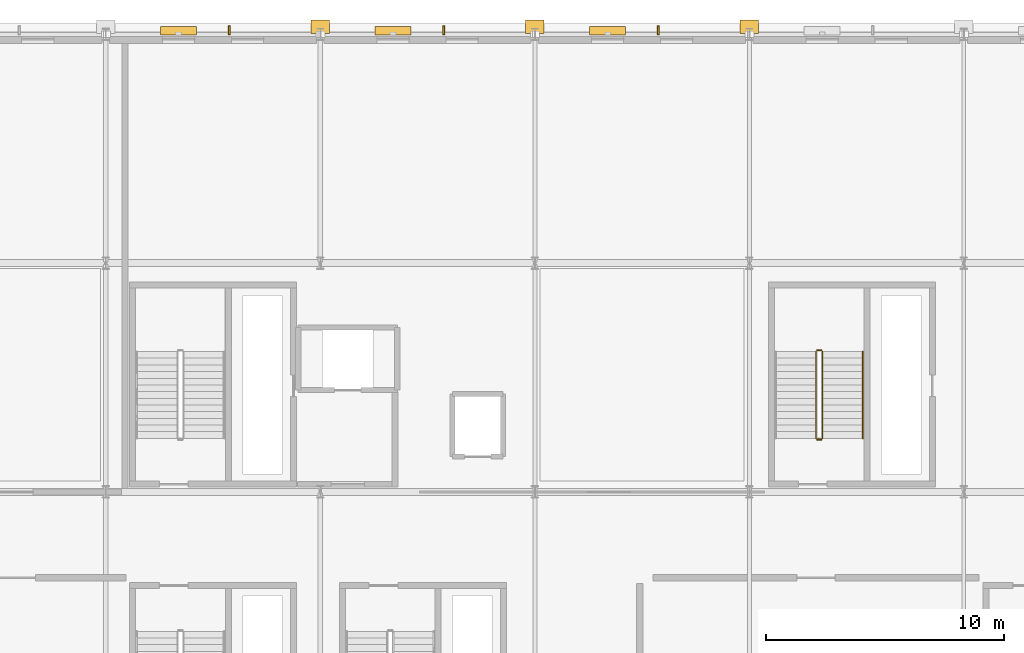
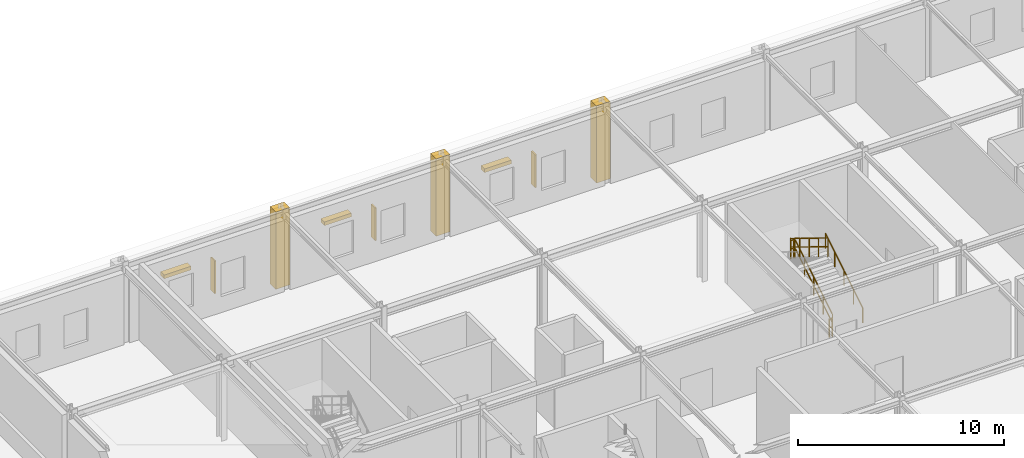
# One storey, part 121 of 125: 6 shading devices, 5 railings, 3 coverings.
"""IFC4 building model written with IfcOpenShell, lengths in metres."""

from ifc_helpers import new_model, si_unit, direction, frame, origin, origin_2d, place, context, subcontext, project, spatial, rectangle, extrude, material, layer, layer_set, type_object, element, save


model = new_model("IFC4")

# Units and contexts
model_context = context("Model", 3, precision=1e-05, world=origin(), true_north=direction((0.0, 1.0)))
body_context = subcontext(model_context, "Body", "Model", "MODEL_VIEW")
ifc_project = project(units=[si_unit("LENGTHUNIT", "METRE"), si_unit("AREAUNIT", "SQUARE_METRE"), si_unit("VOLUMEUNIT", "CUBIC_METRE"), si_unit("PLANEANGLEUNIT", "RADIAN"), si_unit("MASSUNIT", "GRAM", prefix="KILO")], contexts=[model_context])

# Site, building, storey
site_placement = place(None, origin())
site = spatial("IfcSite", under=ifc_project, at=site_placement, CompositionType="ELEMENT")
building_placement = place(site_placement, origin())
building = spatial("IfcBuilding", under=site, at=building_placement, Name="Myrtia Square Station", CompositionType="ELEMENT")
storey_placement = place(building_placement, frame((0.0, 0.0, 6.0)))
storey = spatial("IfcBuildingStorey", under=building, at=storey_placement, Name="L01", CompositionType="ELEMENT", Elevation=6.0)

# Coverings
ifc_material_1 = material(Name="Pentelic marble ashlar", Category="masonry")
ifc_layer = layer(ifc_material_1, 0.4599609375, Name="Pentelic marble ashlar")
ifc_layer_set = layer_set([ifc_layer], Name="Pentelic marble ashlar")
covering_type = type_object("IfcCoveringType", Name="COV-ARCH-ASHLAR", PredefinedType="CLADDING", material=ifc_layer_set)
for number, where, z_axis, x_axis, name in (
    (1, (135.0, 125.1201171875, -0.0400390625), (0.0, 0.0, 1.0), (1.0, 0.0, 0.0), "Classical Pentelic ashlar pilaster 072"),
    (2, (144.0, 125.1201171875, -0.0400390625), (0.0, 0.0, 1.0), (1.0, 0.0, 0.0), "Classical Pentelic ashlar pilaster 081"),
    (3, (153.0, 125.1201171875, -0.0400390625), (0.0, 0.0, 1.0), (1.0, 0.0, 0.0), "Classical Pentelic ashlar pilaster 090"),
):
    element("IfcCovering", number, at=place(storey_placement, frame(where, z_axis=z_axis, x_axis=x_axis)), inside=storey, type_object=covering_type, Name=name, PredefinedType="CLADDING", context=body_context, shape_type="SweptSolid", body=[
        extrude(rectangle(XDim=0.780029296875, YDim=0.56005859375, at=origin_2d()), origin(), (0.0, 0.0, 1.0), 4.590087890625),
    ])

# Railings
ifc_material_2 = material(Name="Dark bronze anodised aluminium", Category="aluminium")
railing_type_1 = type_object("IfcRailingType", Name="RL-HANDRAIL-900", PredefinedType="HANDRAIL", material=ifc_material_2)
railing_1_placement = place(storey_placement, frame((157.760009765625, 107.85009765625, 0.17138671875)))
element("IfcRailing", 4, at=railing_1_placement, inside=storey, type_object=railing_type_1, Name="L01 ST15 stair handrail 1", PredefinedType="HANDRAIL", context=body_context, shape_type="SweptSolid", body=[
    extrude(rectangle(XDim=0.048095703125, YDim=0.048095703125, at=origin_2d()), frame((0.0, 0.029541015625, 0.89404296875), z_axis=(0.0, 0.852850264322, 0.5221555579), x_axis=(-1.0, 0.0, 0.0)), (0.0, 0.0, 1.0), 0.997802734375),
    extrude(rectangle(XDim=0.048095703125, YDim=0.048095703125, at=origin_2d()), frame((0.0, 0.939453125, 1.451171875), z_axis=(0.0, 0.852850264322, 0.5221555579), x_axis=(-1.0, 0.0, 0.0)), (0.0, 0.0, 1.0), 0.997802734375),
    extrude(rectangle(XDim=0.048095703125, YDim=0.048095703125, at=origin_2d()), frame((0.0, 1.849609375, 2.00830078125), z_axis=(0.0, 0.852850264322, 0.5221555579), x_axis=(-1.0, 0.0, 0.0)), (0.0, 0.0, 1.0), 0.997802734375),
    extrude(rectangle(XDim=0.048095703125, YDim=0.048095703125, at=origin_2d()), frame((0.0, 2.759521484375, 2.5654296875), z_axis=(0.0, 0.852850264322, 0.5221555579), x_axis=(-1.0, 0.0, 0.0)), (0.0, 0.0, 1.0), 0.997802734375),
    extrude(rectangle(XDim=0.0439453125, YDim=0.0439453125, at=origin_2d()), origin(), (0.0, 0.0, 1.0), 0.89990234375),
    extrude(rectangle(XDim=0.0439453125, YDim=0.0439453125, at=origin_2d()), frame((0.0, 0.909912109375, 0.55712890625)), (0.0, 0.0, 1.0), 0.89990234375),
    extrude(rectangle(XDim=0.0439453125, YDim=0.0439453125, at=origin_2d()), frame((0.0, 1.81982421875, 1.1142578125)), (0.0, 0.0, 1.0), 0.89990234375),
    extrude(rectangle(XDim=0.0439453125, YDim=0.0439453125, at=origin_2d()), frame((0.0, 2.72998046875, 1.67138671875)), (0.0, 0.0, 1.0), 0.89990234375),
    extrude(rectangle(XDim=0.0439453125, YDim=0.0439453125, at=origin_2d()), frame((0.0, 3.639892578125, 2.228515625)), (0.0, 0.0, 1.0), 0.89990234375),
])
ifc_material_3 = material(Name="Wrought iron", Category="steel")
railing_type_2 = type_object("IfcRailingType", Name="RL-INT-GUARD-1100", PredefinedType="BALUSTRADE", material=ifc_material_3)
railing_2_placement = place(storey_placement, frame((156.06005859375, 107.85009765625, 0.17138671875)))
element("IfcRailing", 5, at=railing_2_placement, inside=storey, type_object=railing_type_2, Name="L01 ST15 stair guard 1", PredefinedType="BALUSTRADE", context=body_context, shape_type="SweptSolid", body=[
    extrude(rectangle(XDim=0.048095703125, YDim=0.048095703125, at=origin_2d()), frame((0.0, 0.029541015625, 1.1142578125), z_axis=(0.0, 0.852850264322, 0.5221555579), x_axis=(-1.0, 0.0, 0.0)), (0.0, 0.0, 1.0), 0.997802734375),
    extrude(rectangle(XDim=0.048095703125, YDim=0.048095703125, at=origin_2d()), frame((0.0, 0.029541015625, 0.6005859375), z_axis=(0.0, 0.852850264322, 0.5221555579), x_axis=(-1.0, 0.0, 0.0)), (0.0, 0.0, 1.0), 0.997802734375),
    extrude(rectangle(XDim=0.048095703125, YDim=0.048095703125, at=origin_2d()), frame((0.0, 0.939453125, 1.67138671875), z_axis=(0.0, 0.852850264322, 0.5221555579), x_axis=(-1.0, 0.0, 0.0)), (0.0, 0.0, 1.0), 0.997802734375),
    extrude(rectangle(XDim=0.048095703125, YDim=0.048095703125, at=origin_2d()), frame((0.0, 0.939453125, 1.15771484375), z_axis=(0.0, 0.852850264322, 0.5221555579), x_axis=(-1.0, 0.0, 0.0)), (0.0, 0.0, 1.0), 0.997802734375),
    extrude(rectangle(XDim=0.048095703125, YDim=0.048095703125, at=origin_2d()), frame((0.0, 1.849609375, 2.228515625), z_axis=(0.0, 0.852850264322, 0.5221555579), x_axis=(-1.0, 0.0, 0.0)), (0.0, 0.0, 1.0), 0.997802734375),
    extrude(rectangle(XDim=0.048095703125, YDim=0.048095703125, at=origin_2d()), frame((0.0, 1.849609375, 1.71484375), z_axis=(0.0, 0.852850264322, 0.5221555579), x_axis=(-1.0, 0.0, 0.0)), (0.0, 0.0, 1.0), 0.997802734375),
    extrude(rectangle(XDim=0.048095703125, YDim=0.048095703125, at=origin_2d()), frame((0.0, 2.759521484375, 2.78564453125), z_axis=(0.0, 0.852850264322, 0.5221555579), x_axis=(-1.0, 0.0, 0.0)), (0.0, 0.0, 1.0), 0.997802734375),
    extrude(rectangle(XDim=0.048095703125, YDim=0.048095703125, at=origin_2d()), frame((0.0, 2.759521484375, 2.27197265625), z_axis=(0.0, 0.852850264322, 0.5221555579), x_axis=(-1.0, 0.0, 0.0)), (0.0, 0.0, 1.0), 0.997802734375),
    extrude(rectangle(XDim=0.0439453125, YDim=0.0439453125, at=origin_2d()), origin(), (0.0, 0.0, 1.0), 1.1201171875),
    extrude(rectangle(XDim=0.0439453125, YDim=0.0439453125, at=origin_2d()), frame((0.0, 0.909912109375, 0.55712890625)), (0.0, 0.0, 1.0), 1.1201171875),
    extrude(rectangle(XDim=0.0439453125, YDim=0.0439453125, at=origin_2d()), frame((0.0, 1.81982421875, 1.1142578125)), (0.0, 0.0, 1.0), 1.1201171875),
    extrude(rectangle(XDim=0.0439453125, YDim=0.0439453125, at=origin_2d()), frame((0.0, 2.72998046875, 1.67138671875)), (0.0, 0.0, 1.0), 1.1201171875),
    extrude(rectangle(XDim=0.0439453125, YDim=0.0439453125, at=origin_2d()), frame((0.0, 3.639892578125, 2.228515625)), (0.0, 0.0, 1.0), 1.1201171875),
])
railing_3_placement = place(storey_placement, frame((156.010009765625, 111.5400390625, 2.39990234375)))
element("IfcRailing", 6, at=railing_3_placement, inside=storey, type_object=railing_type_2, Name="L01 ST15 stair guard 2", PredefinedType="BALUSTRADE", context=body_context, shape_type="SweptSolid", body=[
    extrude(rectangle(XDim=0.048095703125, YDim=0.048095703125, at=origin_2d()), frame((-0.03466796875, 0.0, 1.09619140625), z_axis=(-1.0, 0.0, 0.0), x_axis=(0.0, -1.0, 0.0)), (0.0, 0.0, 1.0), 0.090576171875),
    extrude(rectangle(XDim=0.048095703125, YDim=0.048095703125, at=origin_2d()), frame((-0.03466796875, 0.0, 0.58251953125), z_axis=(-1.0, 0.0, 0.0), x_axis=(0.0, -1.0, 0.0)), (0.0, 0.0, 1.0), 0.090576171875),
    extrude(rectangle(XDim=0.0439453125, YDim=0.0439453125, at=origin_2d()), origin(), (0.0, 0.0, 1.0), 1.1201171875),
    extrude(rectangle(XDim=0.0439453125, YDim=0.0439453125, at=origin_2d()), frame((-0.159912109375, 0.0, 0.0)), (0.0, 0.0, 1.0), 1.1201171875),
])
railing_4_placement = place(storey_placement, frame((155.800048828125, 111.489990234375, 2.571533203125)))
element("IfcRailing", 7, at=railing_4_placement, inside=storey, type_object=railing_type_2, Name="L01 ST15 stair guard 3", PredefinedType="BALUSTRADE", context=body_context, shape_type="SweptSolid", body=[
    extrude(rectangle(XDim=0.048095703125, YDim=0.048095703125, at=origin_2d()), frame((0.0, -0.029541015625, 1.1142578125), z_axis=(0.0, -0.852850264322, 0.5221555579), x_axis=(1.0, 0.0, 0.0)), (0.0, 0.0, 1.0), 0.997802734375),
    extrude(rectangle(XDim=0.048095703125, YDim=0.048095703125, at=origin_2d()), frame((0.0, -0.029541015625, 0.6005859375), z_axis=(0.0, -0.852850264322, 0.5221555579), x_axis=(1.0, 0.0, 0.0)), (0.0, 0.0, 1.0), 0.997802734375),
    extrude(rectangle(XDim=0.048095703125, YDim=0.048095703125, at=origin_2d()), frame((0.0, -0.939453125, 1.67138671875), z_axis=(0.0, -0.852850264322, 0.5221555579), x_axis=(1.0, 0.0, 0.0)), (0.0, 0.0, 1.0), 0.997802734375),
    extrude(rectangle(XDim=0.048095703125, YDim=0.048095703125, at=origin_2d()), frame((0.0, -0.939453125, 1.15771484375), z_axis=(0.0, -0.852850264322, 0.5221555579), x_axis=(1.0, 0.0, 0.0)), (0.0, 0.0, 1.0), 0.997802734375),
    extrude(rectangle(XDim=0.048095703125, YDim=0.048095703125, at=origin_2d()), frame((0.0, -1.849609375, 2.228515625), z_axis=(0.0, -0.852850264322, 0.5221555579), x_axis=(1.0, 0.0, 0.0)), (0.0, 0.0, 1.0), 0.997802734375),
    extrude(rectangle(XDim=0.048095703125, YDim=0.048095703125, at=origin_2d()), frame((0.0, -1.849609375, 1.71484375), z_axis=(0.0, -0.852850264322, 0.5221555579), x_axis=(1.0, 0.0, 0.0)), (0.0, 0.0, 1.0), 0.997802734375),
    extrude(rectangle(XDim=0.048095703125, YDim=0.048095703125, at=origin_2d()), frame((0.0, -2.759521484375, 2.78564453125), z_axis=(0.0, -0.852850264322, 0.5221555579), x_axis=(1.0, 0.0, 0.0)), (0.0, 0.0, 1.0), 0.997802734375),
    extrude(rectangle(XDim=0.048095703125, YDim=0.048095703125, at=origin_2d()), frame((0.0, -2.759521484375, 2.27197265625), z_axis=(0.0, -0.852850264322, 0.5221555579), x_axis=(1.0, 0.0, 0.0)), (0.0, 0.0, 1.0), 0.997802734375),
    extrude(rectangle(XDim=0.0439453125, YDim=0.0439453125, at=origin_2d()), origin(), (0.0, 0.0, 1.0), 1.1201171875),
    extrude(rectangle(XDim=0.0439453125, YDim=0.0439453125, at=origin_2d()), frame((0.0, -0.909912109375, 0.55712890625)), (0.0, 0.0, 1.0), 1.1201171875),
    extrude(rectangle(XDim=0.0439453125, YDim=0.0439453125, at=origin_2d()), frame((0.0, -1.81982421875, 1.1142578125)), (0.0, 0.0, 1.0), 1.1201171875),
    extrude(rectangle(XDim=0.0439453125, YDim=0.0439453125, at=origin_2d()), frame((0.0, -2.72998046875, 1.67138671875)), (0.0, 0.0, 1.0), 1.1201171875),
    extrude(rectangle(XDim=0.0439453125, YDim=0.0439453125, at=origin_2d()), frame((0.0, -3.639892578125, 2.228515625)), (0.0, 0.0, 1.0), 1.1201171875),
])
railing_5_placement = place(storey_placement, frame((156.010009765625, 107.800048828125, 0.0)))
element("IfcRailing", 8, at=railing_5_placement, inside=storey, type_object=railing_type_2, Name="L01 ST15 stair guard 4", PredefinedType="BALUSTRADE", context=body_context, shape_type="SweptSolid", body=[
    extrude(rectangle(XDim=0.048095703125, YDim=0.048095703125, at=origin_2d()), frame((-0.03466796875, 0.0, 1.09619140625), z_axis=(-1.0, 0.0, 0.0), x_axis=(0.0, -1.0, 0.0)), (0.0, 0.0, 1.0), 0.090576171875),
    extrude(rectangle(XDim=0.048095703125, YDim=0.048095703125, at=origin_2d()), frame((-0.03466796875, 0.0, 0.58251953125), z_axis=(-1.0, 0.0, 0.0), x_axis=(0.0, -1.0, 0.0)), (0.0, 0.0, 1.0), 0.090576171875),
    extrude(rectangle(XDim=0.0439453125, YDim=0.0439453125, at=origin_2d()), origin(), (0.0, 0.0, 1.0), 1.1201171875),
    extrude(rectangle(XDim=0.0439453125, YDim=0.0439453125, at=origin_2d()), frame((-0.159912109375, 0.0, 0.0)), (0.0, 0.0, 1.0), 1.1201171875),
])

# Shading devices
shading_device_type_1 = type_object("IfcShadingDeviceType", Name="SHD-FIN-BRONZE", PredefinedType="USERDEFINED", material=ifc_material_2)
for number, where, z_axis, x_axis, name in (
    (9, (131.173095703125, 124.969970703125, 0.9501953125), (0.0, 0.0, 1.0), (1.0, 0.0, 0.0), "Vertical bronze solar fin SHF-044"),
    (10, (140.173095703125, 124.969970703125, 0.9501953125), (0.0, 0.0, 1.0), (1.0, 0.0, 0.0), "Vertical bronze solar fin SHF-045"),
    (11, (149.173095703125, 124.969970703125, 0.9501953125), (0.0, 0.0, 1.0), (1.0, 0.0, 0.0), "Vertical bronze solar fin SHF-046"),
):
    element("IfcShadingDevice", number, at=place(storey_placement, frame(where, z_axis=z_axis, x_axis=x_axis)), inside=storey, type_object=shading_device_type_1, Name=name, ObjectType="FIN", PredefinedType="USERDEFINED", context=body_context, shape_type="SweptSolid", body=[
        extrude(rectangle(XDim=0.080078125, YDim=0.389892578125, at=origin_2d()), origin(), (0.0, 0.0, 1.0), 1.949951171875),
    ])
shading_device_type_2 = type_object("IfcShadingDeviceType", Name="SHD-JALOUSIE-BRONZE", PredefinedType="JALOUSIE", material=ifc_material_2)
for number, where, z_axis, x_axis, name in (
    (12, (129.052001953125, 124.949951171875, 2.83984375), (0.0, 0.0, 1.0), (1.0, 0.0, 0.0), "Mediterranean bronze solar louvre SHL-044"),
    (13, (138.052001953125, 124.949951171875, 2.83984375), (0.0, 0.0, 1.0), (1.0, 0.0, 0.0), "Mediterranean bronze solar louvre SHL-045"),
    (14, (147.052001953125, 124.949951171875, 2.83984375), (0.0, 0.0, 1.0), (1.0, 0.0, 0.0), "Mediterranean bronze solar louvre SHL-046"),
):
    element("IfcShadingDevice", number, at=place(storey_placement, frame(where, z_axis=z_axis, x_axis=x_axis)), inside=storey, type_object=shading_device_type_2, Name=name, PredefinedType="JALOUSIE", context=body_context, shape_type="SweptSolid", body=[
        extrude(rectangle(XDim=1.510009765625, YDim=0.35009765625, at=origin_2d()), origin(), (0.0, 0.0, 1.0), 0.219970703125),
    ])

save(model, "model.ifc")
